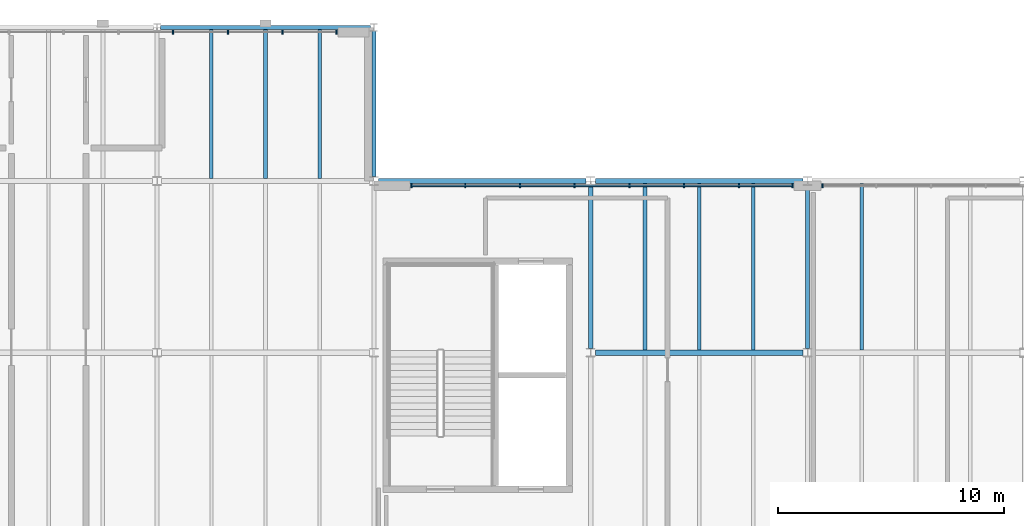
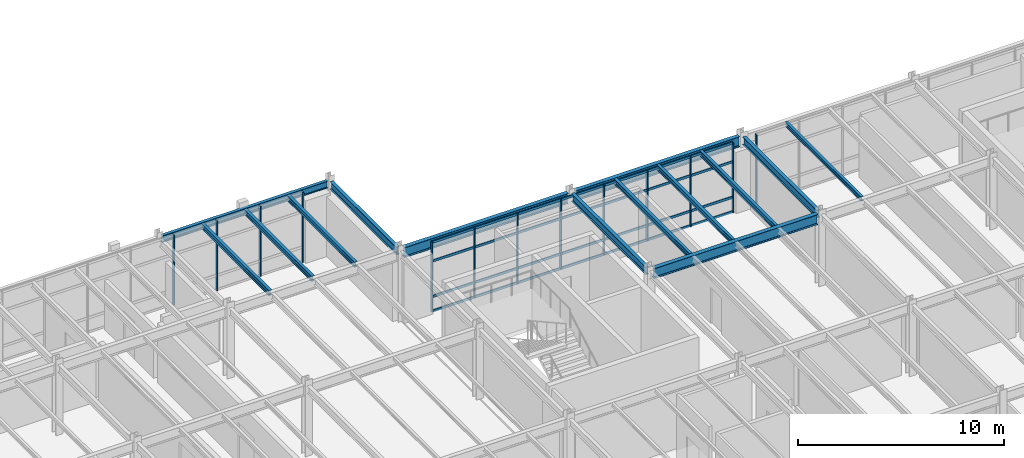
# One storey, part 37 of 77: 17 members, 14 beams, 3 elements without a shape of their own.
"""IFC4 building model written with IfcOpenShell, lengths in metres."""

import ifcopenshell
import ifcopenshell.guid

model = None  # the IFC model being written
_history = None  # IfcOwnerHistory: only IFC2X3 demands one
_inside = {}  # id of a spatial element -> (the spatial element, [elements in it])
_under = {}  # id of a project, library or spatial element -> (it, [spatial elements below it])
_declared = {}  # id of a project -> (the project, [libraries it declares])
_typed = {}  # id of a type object -> (the type object, [elements of that type])
_made_of = {}  # id of a material, layer set ... -> (it, [elements and type objects made of it])


def new_model(schema):
    """Start an empty IFC model of exactly this schema.

    Asked for "IFC4X3", IfcOpenShell would pick the latest addendum, in which some entities
    have other attributes; the version numbers below select the first issue.
    IFC2X3 requires an IfcOwnerHistory on every rooted entity: one is made here for all.
    """
    global model, _history
    if schema == "IFC4X3":
        model = ifcopenshell.file(schema_version=(4, 3, 0, 0))
    else:
        model = ifcopenshell.file(schema=schema)
    _inside.clear()
    _under.clear()
    _declared.clear()
    _typed.clear()
    _made_of.clear()
    _history = None
    if model.schema == "IFC2X3":
        org = make("IfcOrganization", Name="unknown")
        user = make(
            "IfcPersonAndOrganization",
            ThePerson=make("IfcPerson", FamilyName="unknown"),
            TheOrganization=org,
        )
        app = make(
            "IfcApplication",
            ApplicationDeveloper=org,
            Version="unknown",
            ApplicationFullName="unknown",
            ApplicationIdentifier="unknown",
        )
        _history = make(
            "IfcOwnerHistory",
            OwningUser=user,
            OwningApplication=app,
            ChangeAction="ADDED",
            CreationDate=0,
        )
    return model


def make(cls, **values):
    """One entity of the class cls with the attributes given. An attribute that is None is left unset."""
    return model.create_entity(
        cls, **{name: value for name, value in values.items() if value is not None}
    )


def rooted(cls, **values):
    """An entity with a GlobalId (a new one), such as an element, a storey or a relation."""
    return make(cls, GlobalId=ifcopenshell.guid.new(), OwnerHistory=_history, **values)


def si_unit(unit_type, name, prefix=None):
    """IfcSIUnit, for example si_unit("LENGTHUNIT", "METRE", prefix="MILLI")."""
    return make("IfcSIUnit", UnitType=unit_type, Prefix=prefix, Name=name)


def assignment(units):
    """IfcUnitAssignment: the units of a project."""
    return None if units is None else make("IfcUnitAssignment", Units=units)


def point(xyz):
    """IfcCartesianPoint."""
    return None if xyz is None else make("IfcCartesianPoint", Coordinates=xyz)


def direction(xyz):
    """IfcDirection."""
    return None if xyz is None else make("IfcDirection", DirectionRatios=xyz)


def frame(location, z_axis=None, x_axis=None):
    """IfcAxis2Placement3D, a coordinate frame: its origin and axes. An axis left out is left unset."""
    return make(
        "IfcAxis2Placement3D",
        Location=point(location),
        Axis=direction(z_axis),
        RefDirection=direction(x_axis),
    )


def frame_2d(location, x_axis=None):
    """IfcAxis2Placement2D, a coordinate frame in the plane: its origin and x axis."""
    return make(
        "IfcAxis2Placement2D", Location=point(location), RefDirection=direction(x_axis)
    )


def origin():
    """The frame at (0, 0, 0) with its axes left unset."""
    return frame((0.0, 0.0, 0.0))


def origin_2d():
    """The frame at (0, 0) in the plane with its x axis left unset."""
    return frame_2d((0.0, 0.0))


def place(relative_to, where):
    """IfcLocalPlacement: puts the frame where relative to a parent placement (None: the world)."""
    return make(
        "IfcLocalPlacement", PlacementRelTo=relative_to, RelativePlacement=where
    )


def context(
    kind, dimensions, precision=None, world=None, true_north=None, identifier=None
):
    """IfcGeometricRepresentationContext, for example the 3D "Model" context."""
    return make(
        "IfcGeometricRepresentationContext",
        ContextIdentifier=identifier,
        ContextType=kind,
        CoordinateSpaceDimension=dimensions,
        Precision=precision,
        WorldCoordinateSystem=world,
        TrueNorth=true_north,
    )


def subcontext(parent, identifier, kind, view, scale=None):
    """IfcGeometricRepresentationSubContext, for example "Body" below "Model"."""
    return make(
        "IfcGeometricRepresentationSubContext",
        ContextIdentifier=identifier,
        ContextType=kind,
        ParentContext=parent,
        TargetScale=scale,
        TargetView=view,
    )


def project(units=None, contexts=None):
    """IfcProject with its units and contexts."""
    return rooted(
        "IfcProject",
        Name="project",
        RepresentationContexts=contexts,
        UnitsInContext=assignment(units),
    )


def spatial(cls, under=None, at=None, **own):
    """A site, building, storey or space (cls), placed at a placement, below another one or the project."""
    s = rooted(cls, ObjectPlacement=at, **own)
    if under is not None:
        _under.setdefault(under.id(), (under, []))[1].append(s)
    return s


def profile(cls, at=None, kind="AREA", **sizes):
    """A parametric profile (cls). Its sizes go by their IFC names, for example OverallWidth=200.0."""
    return make(cls, ProfileType=kind, Position=at, **sizes)


def rectangle(**sizes):
    """IfcRectangleProfileDef."""
    return profile("IfcRectangleProfileDef", **sizes)


def i_section(**sizes):
    """IfcIShapeProfileDef."""
    return profile("IfcIShapeProfileDef", **sizes)


def extrude(swept, where, along, depth):
    """IfcExtrudedAreaSolid: the profile swept, set in the frame where, extruded along a direction by depth."""
    return make(
        "IfcExtrudedAreaSolid",
        SweptArea=swept,
        Position=where,
        ExtrudedDirection=direction(along),
        Depth=depth,
    )


def shape(context_of_items, identifier, shape_type, items):
    """IfcShapeRepresentation: the items that make up one representation, for example the "Body"."""
    return make(
        "IfcShapeRepresentation",
        ContextOfItems=context_of_items,
        RepresentationIdentifier=identifier,
        RepresentationType=shape_type,
        Items=items,
    )


def material(Name=None, Category=None):
    """IfcMaterial."""
    return make("IfcMaterial", Name=Name, Category=Category)


def material_profile(
    of_material, cross_section, Name=None, Category=None, Priority=None
):
    """IfcMaterialProfile: a cross section and its material."""
    return make(
        "IfcMaterialProfile",
        Name=Name,
        Material=of_material,
        Profile=cross_section,
        Priority=Priority,
        Category=Category,
    )


def profile_set(profiles, Name=None, composite=None):
    """IfcMaterialProfileSet."""
    return make(
        "IfcMaterialProfileSet",
        Name=Name,
        MaterialProfiles=profiles,
        CompositeProfile=composite,
    )


def made_of(thing, what):
    """Note that an element or type object is made of a material, layer set ...; save() writes the relation."""
    if what is not None:
        _made_of.setdefault(what.id(), (what, []))[1].append(thing)
    return thing


def type_object(cls, material=None, **own):
    """A type object (cls), such as IfcWallType, which elements share."""
    return made_of(rooted(cls, **own), material)


def element(
    cls,
    number,
    at=None,
    inside=None,
    cuts=None,
    type_object=None,
    material=None,
    context=None,
    identifier="Body",
    shape_type=None,
    held_by="IfcProductDefinitionShape",
    body=None,
    shapes=None,
    **own,
):
    """One element of the class cls, such as IfcWall. Its Tag is "e" and its number.

    at: its placement. inside: the storey or other place that contains it. cuts: it is an
    opening in that element (IfcRelVoidsElement). A single representation is given by context,
    identifier, shape_type and body (its items); several are given by shapes. held_by: the class
    of the entity that holds the representations. save() writes the other relations.
    """
    e = rooted(cls, Tag="e%d" % number, ObjectPlacement=at, **own)
    if body is not None:
        shapes = [shape(context, identifier, shape_type, body)]
    if shapes is not None:
        e.Representation = make(held_by, Representations=shapes)
    if inside is not None:
        _inside.setdefault(inside.id(), (inside, []))[1].append(e)
    if cuts is not None:
        rooted(
            "IfcRelVoidsElement", RelatingBuildingElement=cuts, RelatedOpeningElement=e
        )
    if type_object is not None:
        _typed.setdefault(type_object.id(), (type_object, []))[1].append(e)
    return made_of(e, material)


def aggregate(whole, parts):
    """IfcRelAggregates: a whole, such as a stair, and the parts it consists of."""
    return rooted("IfcRelAggregates", RelatingObject=whole, RelatedObjects=parts)


def save(model, path):
    """Write the relations noted so far, then the file.

    IfcRelAggregates (storeys below a building ...), IfcRelContainedInSpatialStructure (elements
    in a storey), IfcRelDefinesByType, IfcRelAssociatesMaterial and IfcRelDeclares: one each for
    every whole, place, type object, material and project.
    """
    for whole, parts in _under.values():
        aggregate(whole, parts)
    for where, things in _inside.values():
        rooted(
            "IfcRelContainedInSpatialStructure",
            RelatedElements=things,
            RelatingStructure=where,
        )
    for kind, things in _typed.values():
        rooted("IfcRelDefinesByType", RelatedObjects=things, RelatingType=kind)
    for what, things in _made_of.values():
        rooted("IfcRelAssociatesMaterial", RelatedObjects=things, RelatingMaterial=what)
    for by, libraries in _declared.values():
        rooted("IfcRelDeclares", RelatingContext=by, RelatedDefinitions=libraries)
    model.write(path)


model = new_model("IFC4")

# Units and contexts
model_context = context("Model", 3, precision=1e-05, world=origin(), true_north=direction((0.0, 1.0)))
body_context = subcontext(model_context, "Body", "Model", "MODEL_VIEW")
ifc_project = project(units=[si_unit("LENGTHUNIT", "METRE"), si_unit("AREAUNIT", "SQUARE_METRE"), si_unit("VOLUMEUNIT", "CUBIC_METRE"), si_unit("PLANEANGLEUNIT", "RADIAN"), si_unit("MASSUNIT", "GRAM", prefix="KILO")], contexts=[model_context])

# Site, building, storey
site_placement = place(None, origin())
site = spatial("IfcSite", under=ifc_project, at=site_placement, CompositionType="ELEMENT")
building_placement = place(site_placement, origin())
building = spatial("IfcBuilding", under=site, at=building_placement, Name="Sarnbrook Museum", CompositionType="ELEMENT")
storey_placement = place(building_placement, frame((0.0, 0.0, 5.60009765625)))
storey = spatial("IfcBuildingStorey", under=building, at=storey_placement, Name="L01", CompositionType="ELEMENT", Elevation=5.60009765625)

# Beams
ifc_material_1 = material(Name="Structural Steel Grade 300PLUS (AS/NZS 3679.1, fy = 280 MPa for 17 < t <= 40 mm, 300 MPa for t <= 17 mm)", Category="steel")
ifc_material_profile_1 = material_profile(ifc_material_1, i_section(OverallWidth=0.18994140625, OverallDepth=0.45703125, WebThickness=0.009033203125, FlangeThickness=0.014404296875, FilletRadius=0.011474609375, at=origin_2d()), Name="460UB74.6")
ifc_profile_set_1 = profile_set([ifc_material_profile_1], Name="Structural Steel Grade 300PLUS (AS/NZS 3679.1, fy = 280 MPa for 17 < t <= 40 mm, 300 MPa for t <= 17 mm)")
beam_type_1 = type_object("IfcBeamType", Name="BM-UB460", PredefinedType="BEAM", material=ifc_profile_set_1)
beam_1_placement = place(storey_placement, frame((80.800048828125, 108.591064453125, 3.951416015625), z_axis=(0.0, 1.0, 0.0), x_axis=(-1.0, 0.0, 0.0)))
element("IfcBeam", 1, at=beam_1_placement, inside=storey, type_object=beam_type_1, Name="Girder 9:N-P L01", PredefinedType="BEAM", context=body_context, shape_type="SweptSolid", body=[
    extrude(i_section(OverallWidth=0.18994140625, OverallDepth=0.45703125, WebThickness=0.009033203125, FlangeThickness=0.014404296875, FilletRadius=0.011474609375, at=origin_2d()), origin(), (0.0, 0.0, 1.0), 6.445556640625),
])
for number, where, z_axis, x_axis, name in (
    (2, (90.39990234375, 100.990966796875, 4.021484375), (0.0, 1.0, 0.0), (-1.0, 0.0, 0.0), "Girder 10:M-N L01"),
    (3, (100.0, 100.990966796875, 4.021484375), (0.0, 1.0, 0.0), (-1.0, 0.0, 0.0), "Girder 11:M-N L01"),
):
    element("IfcBeam", number, at=place(storey_placement, frame(where, z_axis=z_axis, x_axis=x_axis)), inside=storey, type_object=beam_type_1, Name=name, PredefinedType="BEAM", context=body_context, shape_type="SweptSolid", body=[
        extrude(i_section(OverallWidth=0.18994140625, OverallDepth=0.45703125, WebThickness=0.009033203125, FlangeThickness=0.014404296875, FilletRadius=0.011474609375, at=origin_2d()), origin(), (0.0, 0.0, 1.0), 7.218017578125),
    ])
ifc_material_profile_2 = material_profile(ifc_material_1, i_section(OverallWidth=0.22802734375, OverallDepth=0.60693359375, WebThickness=0.01123046875, FlangeThickness=0.017333984375, FilletRadius=0.013916015625, at=origin_2d()), Name="610UB113")
ifc_profile_set_2 = profile_set([ifc_material_profile_2], Name="Structural Steel Grade 300PLUS (AS/NZS 3679.1, fy = 280 MPa for 17 < t <= 40 mm, 300 MPa for t <= 17 mm)")
beam_type_2 = type_object("IfcBeamType", Name="BM-UB610", PredefinedType="BEAM", material=ifc_profile_set_2)
for number, where, z_axis, x_axis, name in (
    (4, (90.60009765625, 100.800048828125, 3.9462890625), (1.0, 0.0, 0.0), (0.0, 1.0, 0.0), "Girder M:10-11 L01"),
    (5, (81.0, 108.39990234375, 3.9462890625), (1.0, 0.0, 0.0), (0.0, 1.0, 0.0), "Girder N:9-10 L01"),
    (6, (90.60009765625, 108.39990234375, 3.9462890625), (1.0, 0.0, 0.0), (0.0, 1.0, 0.0), "Girder N:10-11 L01"),
):
    element("IfcBeam", number, at=place(storey_placement, frame(where, z_axis=z_axis, x_axis=x_axis)), inside=storey, type_object=beam_type_2, Name=name, PredefinedType="BEAM", context=body_context, shape_type="SweptSolid", body=[
        extrude(i_section(OverallWidth=0.22802734375, OverallDepth=0.60693359375, WebThickness=0.01123046875, FlangeThickness=0.017333984375, FilletRadius=0.013916015625, at=origin_2d()), origin(), (0.0, 0.0, 1.0), 9.199951171875),
    ])

# Curtain wall, member
ifc_material_2 = material(Name="Thermally Broken Anodised Aluminium 6063-T6", Category="aluminium")
curtain_wall_type = type_object("IfcCurtainWallType", Name="CurtainWall_GalleryRibbon", PredefinedType="NOTDEFINED", material=ifc_material_2)
curtain_wall_1_placement = place(storey_placement, origin())
curtain_wall_1 = element("IfcCurtainWall", 7, at=curtain_wall_1_placement, inside=storey, type_object=curtain_wall_type, Name="Gallery Ribbon Curtain Wall L01-6.1", PredefinedType="NOTDEFINED")
ifc_material_profile_3 = material_profile(ifc_material_2, rectangle(XDim=0.06005859375, YDim=0.159912109375, at=origin_2d()), Name="ALU MULLION 60x160")
ifc_profile_set_3 = profile_set([ifc_material_profile_3], Name="Thermally Broken Anodised Aluminium 6063-T6")
member_type_1 = type_object("IfcMemberType", Name="CW_Mullion_150x65", PredefinedType="MULLION", material=ifc_profile_set_3)
member_1_placement = place(storey_placement, frame((100.659912109375, 108.18994140625, 0.0), z_axis=(0.0, 0.0, 1.0), x_axis=(1.0, 0.0, 0.0)))
member_1 = element("IfcMember", 8, at=member_1_placement, type_object=member_type_1, Name="Gallery Ribbon Curtain Wall L01-6.1 Mullion 8", PredefinedType="MULLION", context=body_context, shape_type="SweptSolid", body=[
    extrude(rectangle(XDim=0.06005859375, YDim=0.159912109375, at=origin_2d()), origin(), (0.0, 0.0, 1.0), 4.159912109375),
])
aggregate(curtain_wall_1, [member_1])

# Curtain wall, members
curtain_wall_2_placement = place(storey_placement, origin())
curtain_wall_2 = element("IfcCurtainWall", 9, at=curtain_wall_2_placement, inside=storey, type_object=curtain_wall_type, Name="Gallery Ribbon Curtain Wall L01-6.2", PredefinedType="NOTDEFINED")
member_2_placement = place(storey_placement, frame((99.340087890625, 108.18994140625, 0.0), z_axis=(0.0, 0.0, 1.0), x_axis=(1.0, 0.0, 0.0)))
member_2 = element("IfcMember", 10, at=member_2_placement, type_object=member_type_1, Name="Gallery Ribbon Curtain Wall L01-6.2 Mullion 1", PredefinedType="MULLION", context=body_context, shape_type="SweptSolid", body=[
    extrude(rectangle(XDim=0.06005859375, YDim=0.159912109375, at=origin_2d()), origin(), (0.0, 0.0, 1.0), 4.159912109375),
])
member_3_placement = place(storey_placement, frame((96.95703125, 108.18994140625, 0.0), z_axis=(0.0, 0.0, 1.0), x_axis=(1.0, 0.0, 0.0)))
member_3 = element("IfcMember", 11, at=member_3_placement, type_object=member_type_1, Name="Gallery Ribbon Curtain Wall L01-6.2 Mullion 2", PredefinedType="MULLION", context=body_context, shape_type="SweptSolid", body=[
    extrude(rectangle(XDim=0.06005859375, YDim=0.159912109375, at=origin_2d()), origin(), (0.0, 0.0, 1.0), 4.159912109375),
])
member_4_placement = place(storey_placement, frame((94.5341796875, 108.18994140625, 0.0), z_axis=(0.0, 0.0, 1.0), x_axis=(1.0, 0.0, 0.0)))
member_4 = element("IfcMember", 12, at=member_4_placement, type_object=member_type_1, Name="Gallery Ribbon Curtain Wall L01-6.2 Mullion 3", PredefinedType="MULLION", context=body_context, shape_type="SweptSolid", body=[
    extrude(rectangle(XDim=0.06005859375, YDim=0.159912109375, at=origin_2d()), origin(), (0.0, 0.0, 1.0), 4.159912109375),
])
member_5_placement = place(storey_placement, frame((92.111328125, 108.18994140625, 0.0), z_axis=(0.0, 0.0, 1.0), x_axis=(1.0, 0.0, 0.0)))
member_5 = element("IfcMember", 13, at=member_5_placement, type_object=member_type_1, Name="Gallery Ribbon Curtain Wall L01-6.2 Mullion 4", PredefinedType="MULLION", context=body_context, shape_type="SweptSolid", body=[
    extrude(rectangle(XDim=0.06005859375, YDim=0.159912109375, at=origin_2d()), origin(), (0.0, 0.0, 1.0), 4.159912109375),
])
member_6_placement = place(storey_placement, frame((89.688720703125, 108.18994140625, 0.0), z_axis=(0.0, 0.0, 1.0), x_axis=(1.0, 0.0, 0.0)))
member_6 = element("IfcMember", 14, at=member_6_placement, type_object=member_type_1, Name="Gallery Ribbon Curtain Wall L01-6.2 Mullion 5", PredefinedType="MULLION", context=body_context, shape_type="SweptSolid", body=[
    extrude(rectangle(XDim=0.06005859375, YDim=0.159912109375, at=origin_2d()), origin(), (0.0, 0.0, 1.0), 4.159912109375),
])
member_7_placement = place(storey_placement, frame((87.265625, 108.18994140625, 0.0), z_axis=(0.0, 0.0, 1.0), x_axis=(1.0, 0.0, 0.0)))
member_7 = element("IfcMember", 15, at=member_7_placement, type_object=member_type_1, Name="Gallery Ribbon Curtain Wall L01-6.2 Mullion 6", PredefinedType="MULLION", context=body_context, shape_type="SweptSolid", body=[
    extrude(rectangle(XDim=0.06005859375, YDim=0.159912109375, at=origin_2d()), origin(), (0.0, 0.0, 1.0), 4.159912109375),
])
member_8_placement = place(storey_placement, frame((84.843017578125, 108.18994140625, 0.0), z_axis=(0.0, 0.0, 1.0), x_axis=(1.0, 0.0, 0.0)))
member_8 = element("IfcMember", 16, at=member_8_placement, type_object=member_type_1, Name="Gallery Ribbon Curtain Wall L01-6.2 Mullion 7", PredefinedType="MULLION", context=body_context, shape_type="SweptSolid", body=[
    extrude(rectangle(XDim=0.06005859375, YDim=0.159912109375, at=origin_2d()), origin(), (0.0, 0.0, 1.0), 4.159912109375),
])
member_9_placement = place(storey_placement, frame((82.4599609375, 108.18994140625, 0.0), z_axis=(0.0, 0.0, 1.0), x_axis=(1.0, 0.0, 0.0)))
member_9 = element("IfcMember", 17, at=member_9_placement, type_object=member_type_1, Name="Gallery Ribbon Curtain Wall L01-6.2 Mullion 8", PredefinedType="MULLION", context=body_context, shape_type="SweptSolid", body=[
    extrude(rectangle(XDim=0.06005859375, YDim=0.159912109375, at=origin_2d()), origin(), (0.0, 0.0, 1.0), 4.159912109375),
])

curtain_wall_3_placement = place(storey_placement, origin())
curtain_wall_3 = element("IfcCurtainWall", 18, at=curtain_wall_3_placement, inside=storey, type_object=curtain_wall_type, Name="Gallery Ribbon Curtain Wall L01-8.1", PredefinedType="NOTDEFINED")
member_10_placement = place(storey_placement, frame((79.139892578125, 114.989990234375, 0.0), z_axis=(0.0, 0.0, 1.0), x_axis=(1.0, 0.0, 0.0)))
member_10 = element("IfcMember", 19, at=member_10_placement, type_object=member_type_1, Name="Gallery Ribbon Curtain Wall L01-8.1 Mullion 1", PredefinedType="MULLION", context=body_context, shape_type="SweptSolid", body=[
    extrude(rectangle(XDim=0.06005859375, YDim=0.159912109375, at=origin_2d()), origin(), (0.0, 0.0, 1.0), 4.159912109375),
])
member_11_placement = place(storey_placement, frame((76.757080078125, 114.989990234375, 0.0), z_axis=(0.0, 0.0, 1.0), x_axis=(1.0, 0.0, 0.0)))
member_11 = element("IfcMember", 20, at=member_11_placement, type_object=member_type_1, Name="Gallery Ribbon Curtain Wall L01-8.1 Mullion 2", PredefinedType="MULLION", context=body_context, shape_type="SweptSolid", body=[
    extrude(rectangle(XDim=0.06005859375, YDim=0.159912109375, at=origin_2d()), origin(), (0.0, 0.0, 1.0), 4.159912109375),
])
member_12_placement = place(storey_placement, frame((74.334228515625, 114.989990234375, 0.0), z_axis=(0.0, 0.0, 1.0), x_axis=(1.0, 0.0, 0.0)))
member_12 = element("IfcMember", 21, at=member_12_placement, type_object=member_type_1, Name="Gallery Ribbon Curtain Wall L01-8.1 Mullion 3", PredefinedType="MULLION", context=body_context, shape_type="SweptSolid", body=[
    extrude(rectangle(XDim=0.06005859375, YDim=0.159912109375, at=origin_2d()), origin(), (0.0, 0.0, 1.0), 4.159912109375),
])
member_13_placement = place(storey_placement, frame((71.911376953125, 114.989990234375, 0.0), z_axis=(0.0, 0.0, 1.0), x_axis=(1.0, 0.0, 0.0)))
member_13 = element("IfcMember", 22, at=member_13_placement, type_object=member_type_1, Name="Gallery Ribbon Curtain Wall L01-8.1 Mullion 4", PredefinedType="MULLION", context=body_context, shape_type="SweptSolid", body=[
    extrude(rectangle(XDim=0.06005859375, YDim=0.159912109375, at=origin_2d()), origin(), (0.0, 0.0, 1.0), 4.159912109375),
])
aggregate(curtain_wall_3, [member_10, member_11, member_12, member_13])

# Member
ifc_material_profile_4 = material_profile(ifc_material_2, rectangle(XDim=0.06494140625, YDim=0.139892578125, at=origin_2d()), Name="ALU TRANSOM 65x140")
ifc_profile_set_4 = profile_set([ifc_material_profile_4], Name="Thermally Broken Anodised Aluminium 6063-T6")
member_type_2 = type_object("IfcMemberType", Name="CW_Transom_150x65", PredefinedType="USERDEFINED", material=ifc_profile_set_4)
member_14_placement = place(storey_placement, frame((99.330078125, 108.18994140625, 0.039794921875), z_axis=(-1.0, 0.0, 0.0), x_axis=(0.0, -1.0, 0.0)))
member_14 = element("IfcMember", 23, at=member_14_placement, type_object=member_type_2, Name="Gallery Ribbon Curtain Wall L01-6.2 Transom 1", ObjectType="TRANSOM", PredefinedType="USERDEFINED", context=body_context, shape_type="SweptSolid", body=[
    extrude(rectangle(XDim=0.06494140625, YDim=0.139892578125, at=origin_2d()), origin(), (0.0, 0.0, 1.0), 16.860107421875),
])

member_15_placement = place(storey_placement, frame((99.330078125, 108.18994140625, 0.89990234375), z_axis=(-1.0, 0.0, 0.0), x_axis=(0.0, -1.0, 0.0)))
member_15 = element("IfcMember", 24, at=member_15_placement, type_object=member_type_2, Name="Gallery Ribbon Curtain Wall L01-6.2 Transom 2", ObjectType="TRANSOM", PredefinedType="USERDEFINED", context=body_context, shape_type="SweptSolid", body=[
    extrude(rectangle(XDim=0.06494140625, YDim=0.139892578125, at=origin_2d()), origin(), (0.0, 0.0, 1.0), 16.860107421875),
])

member_16_placement = place(storey_placement, frame((99.330078125, 108.18994140625, 3.0), z_axis=(-1.0, 0.0, 0.0), x_axis=(0.0, -1.0, 0.0)))
member_16 = element("IfcMember", 25, at=member_16_placement, type_object=member_type_2, Name="Gallery Ribbon Curtain Wall L01-6.2 Transom 3", ObjectType="TRANSOM", PredefinedType="USERDEFINED", context=body_context, shape_type="SweptSolid", body=[
    extrude(rectangle(XDim=0.06494140625, YDim=0.139892578125, at=origin_2d()), origin(), (0.0, 0.0, 1.0), 16.860107421875),
])

member_17_placement = place(storey_placement, frame((99.330078125, 108.18994140625, 4.119873046875), z_axis=(-1.0, 0.0, 0.0), x_axis=(0.0, -1.0, 0.0)))
member_17 = element("IfcMember", 26, at=member_17_placement, type_object=member_type_2, Name="Gallery Ribbon Curtain Wall L01-6.2 Transom 4", ObjectType="TRANSOM", PredefinedType="USERDEFINED", context=body_context, shape_type="SweptSolid", body=[
    extrude(rectangle(XDim=0.06494140625, YDim=0.139892578125, at=origin_2d()), origin(), (0.0, 0.0, 1.0), 16.860107421875),
])

aggregate(curtain_wall_2, [member_2, member_3, member_4, member_5, member_6, member_7, member_8, member_9, member_14, member_15, member_16, member_17])

# Beams
ifc_material_profile_5 = material_profile(ifc_material_1, i_section(OverallWidth=0.14599609375, OverallDepth=0.256103515625, WebThickness=0.00634765625, FlangeThickness=0.010986328125, FilletRadius=0.0087890625, at=origin_2d()), Name="250UB37.3")
ifc_profile_set_5 = profile_set([ifc_material_profile_5], Name="Structural Steel Grade 300PLUS (AS/NZS 3679.1, fy = 280 MPa for 17 < t <= 40 mm, 300 MPa for t <= 17 mm)")
beam_type_3 = type_object("IfcBeamType", Name="JS-UB250", PredefinedType="JOIST", material=ifc_profile_set_5)
beam_2_placement = place(storey_placement, frame((102.39990234375, 100.9140625, 4.121826171875), z_axis=(0.0, 1.0, 0.0), x_axis=(-1.0, 0.0, 0.0)))
element("IfcBeam", 27, at=beam_2_placement, inside=storey, type_object=beam_type_3, Name="Composite Floor Joist 11M-1 L01", PredefinedType="JOIST", context=body_context, shape_type="SweptSolid", body=[
    extrude(i_section(OverallWidth=0.14599609375, OverallDepth=0.256103515625, WebThickness=0.00634765625, FlangeThickness=0.010986328125, FilletRadius=0.0087890625, at=origin_2d()), origin(), (0.0, 0.0, 1.0), 7.371826171875),
])
ifc_material_profile_6 = material_profile(ifc_material_1, i_section(OverallWidth=0.1650390625, OverallDepth=0.303955078125, WebThickness=0.006103515625, FlangeThickness=0.01025390625, FilletRadius=0.011474609375, at=origin_2d()), Name="310UB40.4")
ifc_profile_set_6 = profile_set([ifc_material_profile_6], Name="Structural Steel Grade 300PLUS (AS/NZS 3679.1, fy = 280 MPa for 17 < t <= 40 mm, 300 MPa for t <= 17 mm)")
beam_type_4 = type_object("IfcBeamType", Name="JS-UB310", PredefinedType="JOIST", material=ifc_profile_set_6)
for number, where, z_axis, x_axis, name in (
    (28, (92.800048828125, 100.9140625, 4.097900390625), (0.0, 1.0, 0.0), (-1.0, 0.0, 0.0), "Composite Floor Joist 10M-1 L01"),
    (29, (95.199951171875, 100.9140625, 4.097900390625), (0.0, 1.0, 0.0), (-1.0, 0.0, 0.0), "Composite Floor Joist 10M-2 L01"),
    (30, (97.60009765625, 100.9140625, 4.097900390625), (0.0, 1.0, 0.0), (-1.0, 0.0, 0.0), "Composite Floor Joist 10M-3 L01"),
):
    element("IfcBeam", number, at=place(storey_placement, frame(where, z_axis=z_axis, x_axis=x_axis)), inside=storey, type_object=beam_type_4, Name=name, PredefinedType="JOIST", context=body_context, shape_type="SweptSolid", body=[
        extrude(i_section(OverallWidth=0.1650390625, OverallDepth=0.303955078125, WebThickness=0.006103515625, FlangeThickness=0.01025390625, FilletRadius=0.011474609375, at=origin_2d()), origin(), (0.0, 0.0, 1.0), 7.371826171875),
    ])
ifc_material_profile_7 = material_profile(ifc_material_1, i_section(OverallWidth=0.166015625, OverallDepth=0.306884765625, WebThickness=0.006591796875, FlangeThickness=0.01171875, FilletRadius=0.011474609375, at=origin_2d()), Name="310UB46.2")
ifc_profile_set_7 = profile_set([ifc_material_profile_7], Name="Structural Steel Grade 300PLUS (AS/NZS 3679.1, fy = 280 MPa for 17 < t <= 40 mm, 300 MPa for t <= 17 mm)")
beam_type_5 = type_object("IfcBeamType", Name="JS-UB310H", PredefinedType="JOIST", material=ifc_profile_set_7)
for number, where, z_axis, x_axis, name in (
    (31, (73.60009765625, 108.513916015625, 4.0263671875), (0.0, 1.0, 0.0), (-1.0, 0.0, 0.0), "Composite Floor Joist 8N-1 L01"),
    (32, (76.0, 108.513916015625, 4.0263671875), (0.0, 1.0, 0.0), (-1.0, 0.0, 0.0), "Composite Floor Joist 8N-2 L01"),
    (33, (78.39990234375, 108.513916015625, 4.0263671875), (0.0, 1.0, 0.0), (-1.0, 0.0, 0.0), "Composite Floor Joist 8N-3 L01"),
):
    element("IfcBeam", number, at=place(storey_placement, frame(where, z_axis=z_axis, x_axis=x_axis)), inside=storey, type_object=beam_type_5, Name=name, PredefinedType="JOIST", context=body_context, shape_type="SweptSolid", body=[
        extrude(i_section(OverallWidth=0.166015625, OverallDepth=0.306884765625, WebThickness=0.006591796875, FlangeThickness=0.01171875, FilletRadius=0.011474609375, at=origin_2d()), origin(), (0.0, 0.0, 1.0), 6.59716796875),
    ])
ifc_material_profile_8 = material_profile(ifc_material_1, i_section(OverallWidth=0.177978515625, OverallDepth=0.406005859375, WebThickness=0.0078125, FlangeThickness=0.0126953125, FilletRadius=0.011474609375, at=origin_2d()), Name="410UB59.7")
ifc_profile_set_8 = profile_set([ifc_material_profile_8], Name="Structural Steel Grade 300PLUS (AS/NZS 3679.1, fy = 280 MPa for 17 < t <= 40 mm, 300 MPa for t <= 17 mm)")
beam_type_6 = type_object("IfcBeamType", Name="SP-UB410", PredefinedType="SPANDREL", material=ifc_profile_set_8)
beam_3_placement = place(storey_placement, frame((71.35546875, 115.199951171875, 3.976806640625), z_axis=(1.0, 0.0, 0.0), x_axis=(0.0, 1.0, 0.0)))
element("IfcBeam", 34, at=beam_3_placement, inside=storey, type_object=beam_type_6, Name="Girder P:8-9 L01", PredefinedType="SPANDREL", context=body_context, shape_type="SweptSolid", body=[
    extrude(i_section(OverallWidth=0.177978515625, OverallDepth=0.406005859375, WebThickness=0.0078125, FlangeThickness=0.0126953125, FilletRadius=0.011474609375, at=origin_2d()), origin(), (0.0, 0.0, 1.0), 9.2890625),
])

save(model, "model.ifc")
